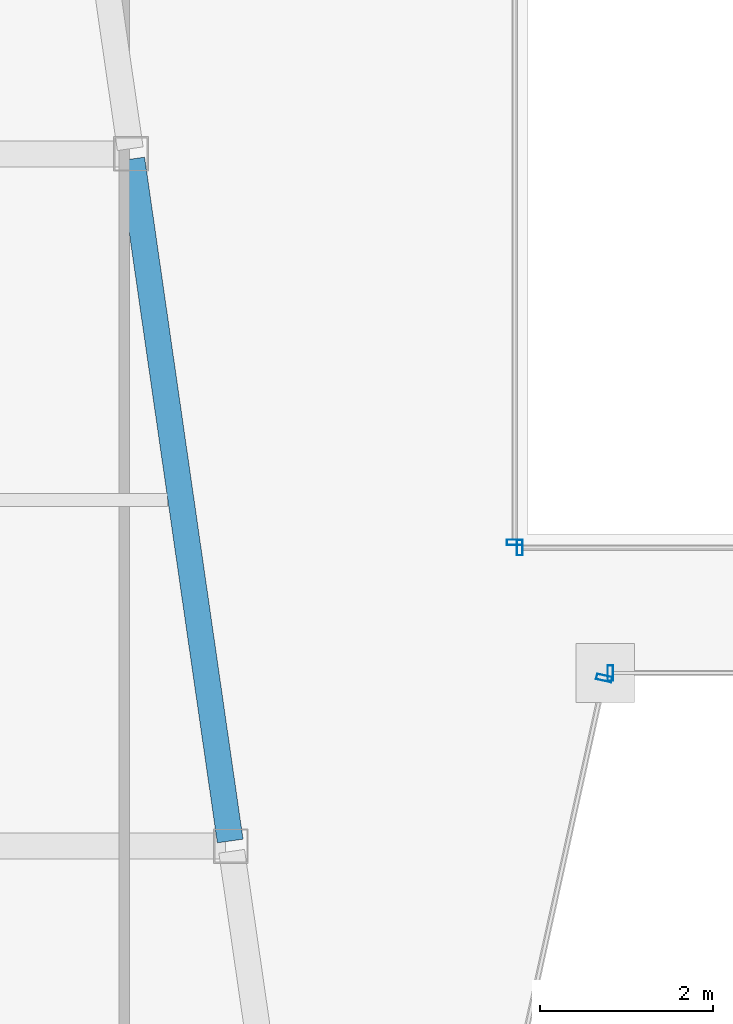
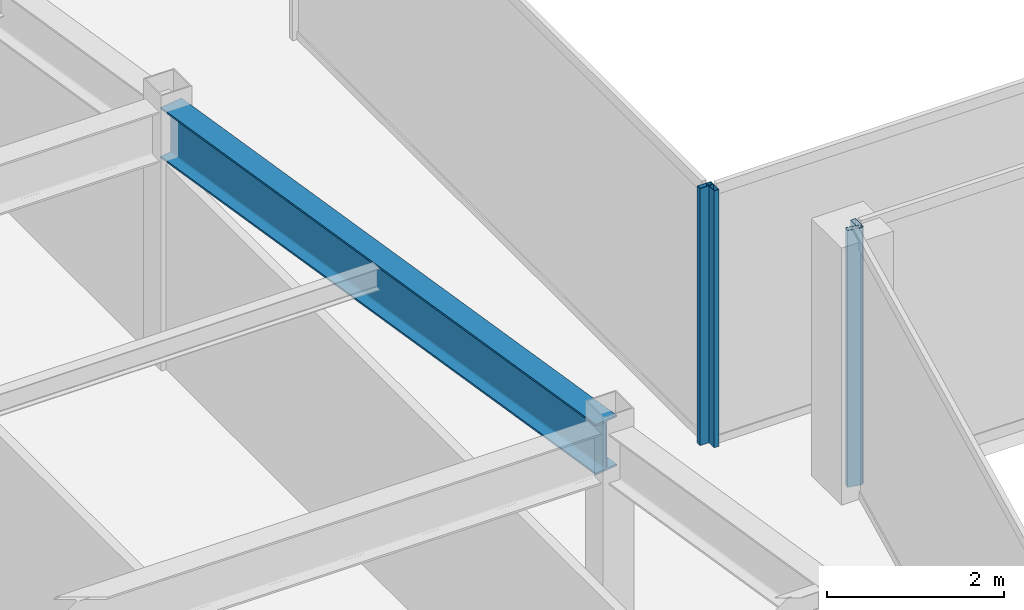
# One storey, part 7 of 35: 4 members, 1 beam, 4 elements without a shape of their own.
"""IFC4 building model written with IfcOpenShell, lengths in metres."""

from ifc_helpers import new_model, si_unit, direction, frame, origin, origin_2d, place, context, subcontext, project, spatial, hollow_rectangle, i_section, extrude, material, material_profile, profile_set, type_object, element, aggregate, save


model = new_model("IFC4")

# Units and contexts
model_context = context("Model", 3, precision=1e-05, world=origin(), true_north=direction((0.0, 1.0)))
body_context = subcontext(model_context, "Body", "Model", "MODEL_VIEW")
ifc_project = project(units=[si_unit("LENGTHUNIT", "METRE"), si_unit("AREAUNIT", "SQUARE_METRE"), si_unit("VOLUMEUNIT", "CUBIC_METRE"), si_unit("PLANEANGLEUNIT", "RADIAN"), si_unit("MASSUNIT", "GRAM", prefix="KILO")], contexts=[model_context])

# Site, building, storey
site_placement = place(None, origin())
site = spatial("IfcSite", under=ifc_project, at=site_placement, CompositionType="ELEMENT")
building_placement = place(site_placement, origin())
building = spatial("IfcBuilding", under=site, at=building_placement, Name="Saevonmaru Cultural Tower", CompositionType="ELEMENT")
storey_placement = place(building_placement, frame((0.0, 0.0, 194.199951171875)))
storey = spatial("IfcBuildingStorey", under=building, at=storey_placement, Name="L44", CompositionType="ELEMENT", Elevation=194.199951171875)

# Beam
ifc_material_1 = material(Name="Steel SM355", Category="steel")
ifc_material_profile_1 = material_profile(ifc_material_1, i_section(OverallWidth=0.300048828125, OverallDepth=0.699951171875, WebThickness=0.012939453125, FlangeThickness=0.02392578125, FilletRadius=0.02587890625, at=origin_2d()), Name="H-700x300x13x24")
ifc_profile_set_1 = profile_set([ifc_material_profile_1], Name="Steel SM355")
beam_type = type_object("IfcBeamType", Name="BM-G-H700", PredefinedType="BEAM", material=ifc_profile_set_1)
beam_placement = place(storey_placement, frame((20.763427734375, 24.059326171875, 3.199951171875), z_axis=(-0.142902032203, 0.989736838353, 0.0), x_axis=(-0.989736838353, -0.142902032203, 0.0)))
element("IfcBeam", 1, at=beam_placement, inside=storey, type_object=beam_type, Name="L44 West Atrium Girder 2", PredefinedType="BEAM", context=body_context, shape_type="SweptSolid", body=[
    extrude(i_section(OverallWidth=0.300048828125, OverallDepth=0.699951171875, WebThickness=0.012939453125, FlangeThickness=0.02392578125, FilletRadius=0.02587890625, at=origin_2d()), origin(), (0.0, 0.0, 1.0), 7.963134765625),
])

# Curtain wall, member
ifc_material_2 = material(Name="Satin Bronze Anodised Aluminium", Category="aluminium")
curtain_wall_type_1 = type_object("IfcCurtainWallType", Name="CW-TYP-B", PredefinedType="NOTDEFINED", material=ifc_material_2)
curtain_wall_1_placement = place(storey_placement, origin())
curtain_wall_1 = element("IfcCurtainWall", 2, at=curtain_wall_1_placement, inside=storey, type_object=curtain_wall_type_1, Name="L44 Unitised Curtain Wall E3", PredefinedType="NOTDEFINED")
ifc_material_profile_2 = material_profile(ifc_material_2, hollow_rectangle(XDim=0.06494140625, YDim=0.179931640625, WallThickness=0.00390625, at=origin_2d()), Name="ALU-MULL-180x65x4")
ifc_profile_set_2 = profile_set([ifc_material_profile_2], Name="Satin Bronze Anodised Aluminium")
member_type_1 = type_object("IfcMemberType", Name="ML-CW-180x65", PredefinedType="MULLION", material=ifc_profile_set_2)
member_1_placement = place(storey_placement, frame((25.0849609375, 25.94140625, 0.0), z_axis=(0.0, 0.0, 1.0), x_axis=(0.215413319953, 0.976522965212, 0.0)))
member_1 = element("IfcMember", 3, at=member_1_placement, type_object=member_type_1, Name="CW-TW-L44-E3 mullion 2", PredefinedType="MULLION", context=body_context, shape_type="SweptSolid", body=[
    extrude(hollow_rectangle(XDim=0.06494140625, YDim=0.179931640625, WallThickness=0.00390625, at=origin_2d()), origin(), (0.0, 0.0, 1.0), 3.550048828125),
])
aggregate(curtain_wall_1, [member_1])

curtain_wall_2_placement = place(storey_placement, origin())
curtain_wall_2 = element("IfcCurtainWall", 4, at=curtain_wall_2_placement, inside=storey, type_object=curtain_wall_type_1, Name="L44 Unitised Curtain Wall E4", PredefinedType="NOTDEFINED")
member_2_placement = place(storey_placement, frame((25.15771484375, 26.0, 0.0), z_axis=(0.0, 0.0, 1.0), x_axis=(1.0, 0.0, 0.0)))
member_2 = element("IfcMember", 5, at=member_2_placement, type_object=member_type_1, Name="CW-TW-L44-E4 mullion 1", PredefinedType="MULLION", context=body_context, shape_type="SweptSolid", body=[
    extrude(hollow_rectangle(XDim=0.06494140625, YDim=0.179931640625, WallThickness=0.00390625, at=origin_2d()), origin(), (0.0, 0.0, 1.0), 3.550048828125),
])
aggregate(curtain_wall_2, [member_2])

curtain_wall_type_2 = type_object("IfcCurtainWallType", Name="CW-ATR-GLZ", PredefinedType="NOTDEFINED", material=ifc_material_2)
curtain_wall_3_placement = place(storey_placement, origin())
curtain_wall_3 = element("IfcCurtainWall", 6, at=curtain_wall_3_placement, inside=storey, type_object=curtain_wall_type_2, Name="L44 Vertical Atrium Glazed Smoke Screen 1", PredefinedType="NOTDEFINED")
ifc_material_profile_3 = material_profile(ifc_material_2, hollow_rectangle(XDim=0.06494140625, YDim=0.179931640625, WallThickness=0.00390625, at=origin_2d()), Name="ALU-MULL-180x65x4")
ifc_profile_set_3 = profile_set([ifc_material_profile_3], Name="Satin Bronze Anodised Aluminium")
member_type_2 = type_object("IfcMemberType", Name="ML-CW-INT-180x65", PredefinedType="MULLION", material=ifc_profile_set_3)
member_3_placement = place(storey_placement, frame((24.110107421875, 27.449951171875, 0.0), z_axis=(0.0, 0.0, 1.0), x_axis=(1.0, 0.0, 0.0)))
member_3 = element("IfcMember", 7, at=member_3_placement, type_object=member_type_2, Name="CW-ATR-L44-1 mullion 1", PredefinedType="MULLION", context=body_context, shape_type="SweptSolid", body=[
    extrude(hollow_rectangle(XDim=0.06494140625, YDim=0.179931640625, WallThickness=0.00390625, at=origin_2d()), origin(), (0.0, 0.0, 1.0), 3.550048828125),
])
aggregate(curtain_wall_3, [member_3])

curtain_wall_4_placement = place(storey_placement, origin())
curtain_wall_4 = element("IfcCurtainWall", 8, at=curtain_wall_4_placement, inside=storey, type_object=curtain_wall_type_2, Name="L44 Vertical Atrium Glazed Smoke Screen 4", PredefinedType="NOTDEFINED")
member_4_placement = place(storey_placement, frame((24.050048828125, 27.510009765625, 0.0), z_axis=(0.0, 0.0, 1.0), x_axis=(0.0, -1.0, 0.0)))
member_4 = element("IfcMember", 9, at=member_4_placement, type_object=member_type_2, Name="CW-ATR-L44-4 mullion 2", PredefinedType="MULLION", context=body_context, shape_type="SweptSolid", body=[
    extrude(hollow_rectangle(XDim=0.06494140625, YDim=0.179931640625, WallThickness=0.00390625, at=origin_2d()), origin(), (0.0, 0.0, 1.0), 3.550048828125),
])
aggregate(curtain_wall_4, [member_4])

save(model, "model.ifc")
